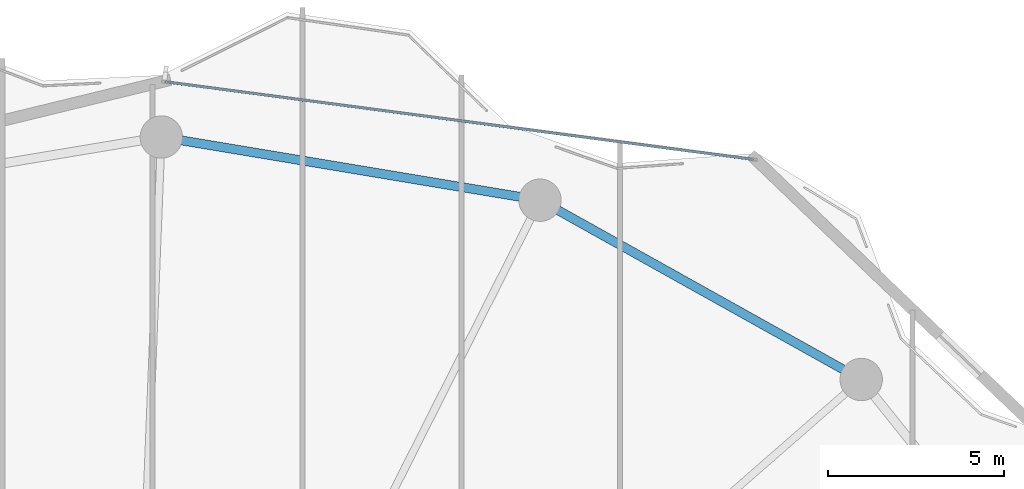
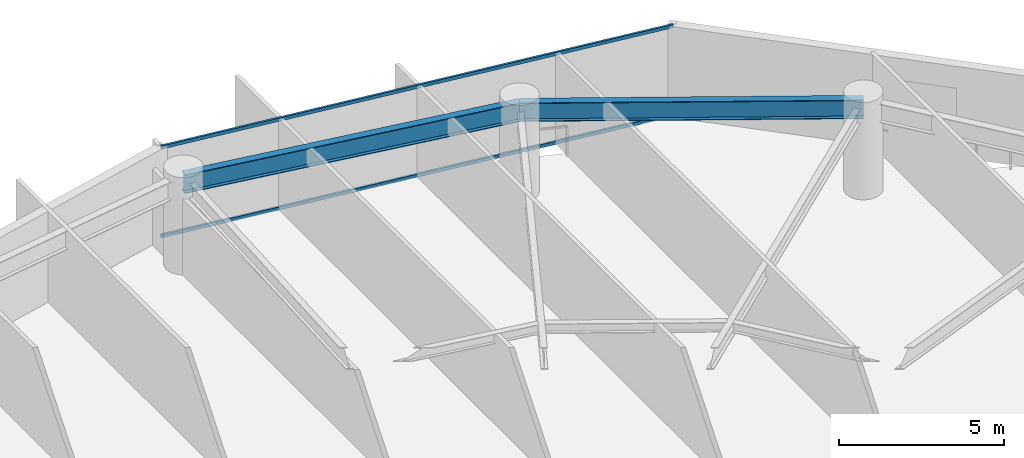
# One storey, part 21 of 31: 2 beams, 2 members, 1 element without a shape of its own.
"""IFC4 building model written with IfcOpenShell, lengths in metres."""

from ifc_helpers import new_model, si_unit, direction, frame, origin, origin_2d, place, context, subcontext, project, spatial, hollow_rectangle, i_section, extrude, material, layer, layer_set, material_profile, profile_set, type_object, element, aggregate, save


model = new_model("IFC4")

# Units and contexts
model_context = context("Model", 3, precision=1e-05, world=origin(), true_north=direction((0.0, 1.0)))
body_context = subcontext(model_context, "Body", "Model", "MODEL_VIEW")
ifc_project = project(units=[si_unit("LENGTHUNIT", "METRE"), si_unit("AREAUNIT", "SQUARE_METRE"), si_unit("VOLUMEUNIT", "CUBIC_METRE"), si_unit("PLANEANGLEUNIT", "RADIAN"), si_unit("MASSUNIT", "GRAM", prefix="KILO")], contexts=[model_context])

# Site, building, storey
site_placement = place(None, origin())
site = spatial("IfcSite", under=ifc_project, at=site_placement, CompositionType="ELEMENT")
building_placement = place(site_placement, origin())
building = spatial("IfcBuilding", under=site, at=building_placement, Name="Kazevale Care Tower and Concert Hall", CompositionType="ELEMENT")
storey_placement = place(building_placement, frame((0.0, 0.0, 124.199951171875)))
storey = spatial("IfcBuildingStorey", under=building, at=storey_placement, Name="L32", CompositionType="ELEMENT", Elevation=124.199951171875)

# Curtain wall, members
ifc_material_1 = material(Name="Aluminium 6063-T6 and Low-E Glass", Category="aluminium")
ifc_layer = layer(ifc_material_1, 0.179931640625)
ifc_layer_set = layer_set([ifc_layer], Name="Aluminium 6063-T6 and Low-E Glass")
curtain_wall_type = type_object("IfcCurtainWallType", Name="Convex Recessed Sunroom Curtain Wall CW-3", PredefinedType="NOTDEFINED", material=ifc_layer_set)
curtain_wall_placement = place(storey_placement, origin())
curtain_wall = element("IfcCurtainWall", 1, at=curtain_wall_placement, inside=storey, type_object=curtain_wall_type, Name="cw:L32:f16", PredefinedType="NOTDEFINED")
ifc_material_2 = material(Name="Aluminium 6063-T6", Category="aluminium")
ifc_material_profile_1 = material_profile(ifc_material_2, hollow_rectangle(XDim=0.074951171875, YDim=0.1201171875, WallThickness=0.00390625, at=origin_2d()), Name="ALU75x120x4")
ifc_profile_set_1 = profile_set([ifc_material_profile_1], Name="Aluminium 6063-T6")
member_type = type_object("IfcMemberType", Name="CW-3 Transom ALU75x120x4", PredefinedType="USERDEFINED", material=ifc_profile_set_1)
member_1_placement = place(storey_placement, frame((45.121337890625, 63.01220703125, 0.03759765625), z_axis=(0.99140485097, -0.130829742311, 0.0), x_axis=(0.130829742311, 0.99140485097, 0.0)))
member_1 = element("IfcMember", 2, at=member_1_placement, type_object=member_type, Name="CW-3 transom 1.1", ObjectType="TRANSOM", PredefinedType="USERDEFINED", context=body_context, shape_type="SweptSolid", body=[
    extrude(hollow_rectangle(XDim=0.074951171875, YDim=0.1201171875, WallThickness=0.00390625, at=origin_2d()), origin(), (0.0, 0.0, 1.0), 16.796630859375),
])
member_2_placement = place(storey_placement, frame((45.121337890625, 63.01220703125, 3.322509765625), z_axis=(0.99140485097, -0.130829742311, 0.0), x_axis=(0.130829742311, 0.99140485097, 0.0)))
member_2 = element("IfcMember", 3, at=member_2_placement, type_object=member_type, Name="CW-3 transom 1.2", ObjectType="TRANSOM", PredefinedType="USERDEFINED", context=body_context, shape_type="SweptSolid", body=[
    extrude(hollow_rectangle(XDim=0.074951171875, YDim=0.1201171875, WallThickness=0.00390625, at=origin_2d()), origin(), (0.0, 0.0, 1.0), 16.796630859375),
])
aggregate(curtain_wall, [member_1, member_2])

# Beams
ifc_material_3 = material(Name="Steel ASTM A572 Gr 50", Category="steel")
ifc_material_profile_2 = material_profile(ifc_material_3, i_section(OverallWidth=0.256103515625, OverallDepth=0.693115234375, WebThickness=0.014404296875, FlangeThickness=0.023681640625, at=origin_2d()), Name="W690x170")
ifc_profile_set_2 = profile_set([ifc_material_profile_2], Name="Steel ASTM A572 Gr 50")
beam_type = type_object("IfcBeamType", Name="Waist Ring Beam W690x170", PredefinedType="BEAM", material=ifc_profile_set_2)
beam_1_placement = place(storey_placement, frame((64.830078125, 54.580078125, 3.013427734375), z_axis=(-0.873168720251, 0.487418081297, 0.0), x_axis=(-0.487418081297, -0.873168720251, 0.0)))
element("IfcBeam", 4, at=beam_1_placement, inside=storey, type_object=beam_type, Name="beam:L32:ring:03", PredefinedType="BEAM", context=body_context, shape_type="SweptSolid", body=[
    extrude(i_section(OverallWidth=0.256103515625, OverallDepth=0.693115234375, WebThickness=0.014404296875, FlangeThickness=0.023681640625, at=origin_2d()), origin(), (0.0, 0.0, 1.0), 10.421875),
])
beam_2_placement = place(storey_placement, frame((55.72998046875, 59.659912109375, 3.013427734375), z_axis=(-0.986368436187, 0.164551840139, 0.0), x_axis=(-0.164551840139, -0.986368436187, 0.0)))
element("IfcBeam", 5, at=beam_2_placement, inside=storey, type_object=beam_type, Name="beam:L32:ring:04", PredefinedType="BEAM", context=body_context, shape_type="SweptSolid", body=[
    extrude(i_section(OverallWidth=0.256103515625, OverallDepth=0.693115234375, WebThickness=0.014404296875, FlangeThickness=0.023681640625, at=origin_2d()), origin(), (0.0, 0.0, 1.0), 10.878173828125),
])

save(model, "model.ifc")
